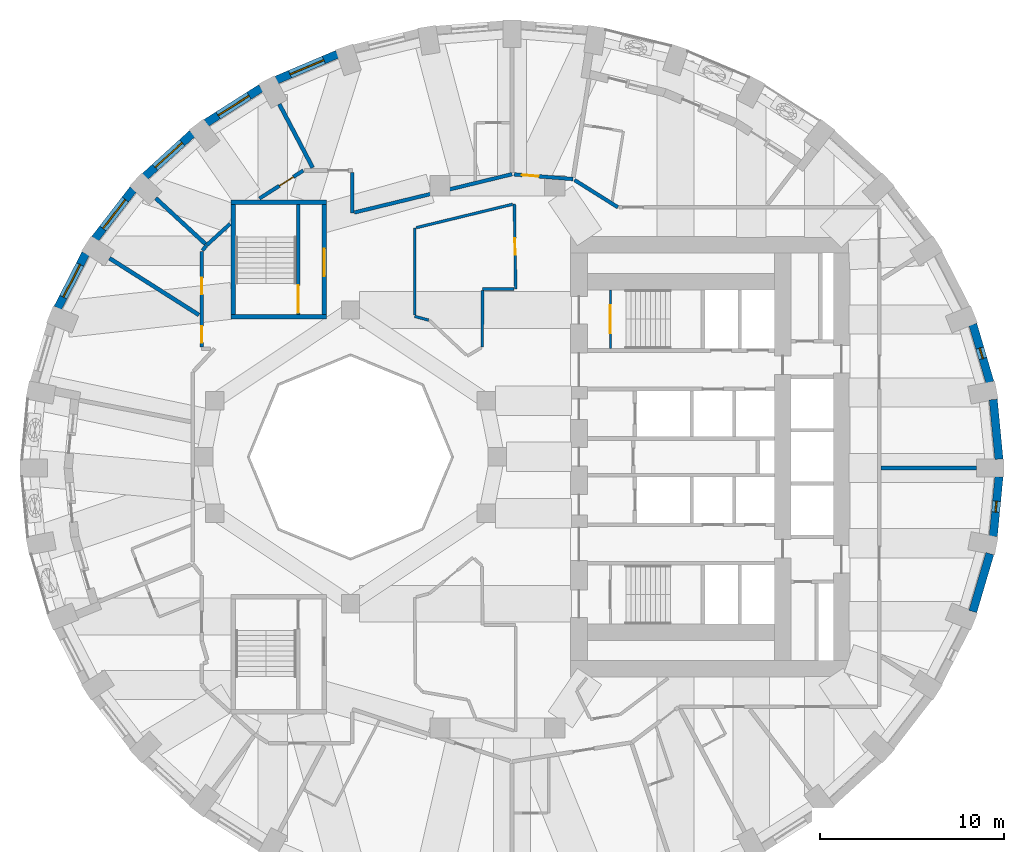
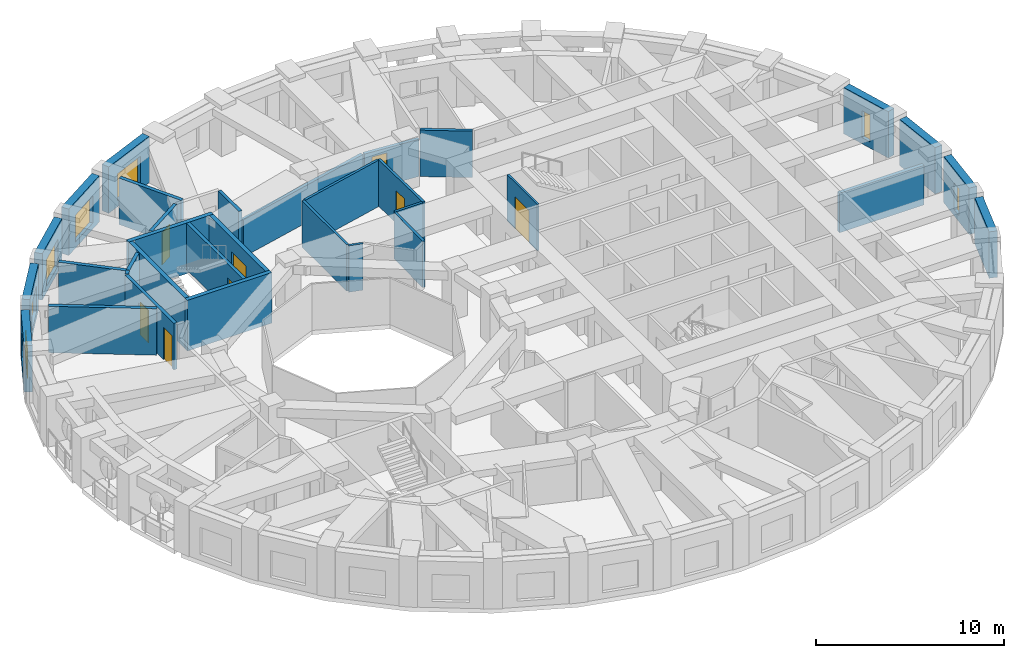
# One storey, part 7 of 12: 33 walls, 8 doors, 7 windows, 15 openings.
"""IFC4 building model written with IfcOpenShell, lengths in metres."""

from ifc_helpers import new_model, si_unit, direction, frame, frame_2d, origin, place, context, subcontext, project, spatial, rectangle, extrude, material, layer, layer_set, type_object, element, fill, save


model = new_model("IFC4")

# Units and contexts
model_context = context("Model", 3, precision=1e-05, world=origin(), true_north=direction((0.0, 1.0)))
body_context = subcontext(model_context, "Body", "Model", "MODEL_VIEW")
ifc_project = project(units=[si_unit("LENGTHUNIT", "METRE"), si_unit("AREAUNIT", "SQUARE_METRE"), si_unit("VOLUMEUNIT", "CUBIC_METRE"), si_unit("PLANEANGLEUNIT", "RADIAN"), si_unit("MASSUNIT", "GRAM", prefix="KILO")], contexts=[model_context])

# Site, building, storey
site_placement = place(None, origin())
site = spatial("IfcSite", under=ifc_project, at=site_placement, CompositionType="ELEMENT")
building_placement = place(site_placement, origin())
building = spatial("IfcBuilding", under=site, at=building_placement, Name="Taillehof Tower", CompositionType="ELEMENT")
storey_placement = place(building_placement, frame((0.0, 0.0, 102.10009765625)))
storey = spatial("IfcBuildingStorey", under=building, at=storey_placement, Name="L28", CompositionType="ELEMENT", Elevation=102.10009765625)

# Wall
ifc_material_1 = material(Name="Brick masonry", Category="masonry")
ifc_layer_1 = layer(ifc_material_1, 0.449951171875)
ifc_layer_set_1 = layer_set([ifc_layer_1], Name="Brick infill wall 450")
wall_type_1 = type_object("IfcWallType", Name="Brick infill wall 450", PredefinedType="SOLIDWALL", material=ifc_layer_set_1)
wall_1_placement = place(storey_placement, frame((27.32763671875, -0.119873046875, 0.0), z_axis=(0.0, 0.0, 1.0), x_axis=(-0.09589355735, 0.995391594127, 0.0)))
element("IfcWall", 1, at=wall_1_placement, inside=storey, type_object=wall_type_1, Name="Brick wall L28 bay 1", PredefinedType="SOLIDWALL", context=body_context, shape_type="SweptSolid", body=[
    extrude(rectangle(XDim=3.261474609375, YDim=0.449951171875, at=frame_2d((1.630859375, 0.0))), origin(), (0.0, 0.0, 1.0), 3.02001953125),
])

# Wall, opening, window
wall_2_placement = place(storey_placement, frame((26.83203125, 4.069091796875, 0.0), z_axis=(0.0, 0.0, 1.0), x_axis=(-0.283002902729, 0.959119052593, 0.0)))
wall_2 = element("IfcWall", 2, at=wall_2_placement, inside=storey, type_object=wall_type_1, Name="Brick wall L28 bay 2", PredefinedType="SOLIDWALL", context=body_context, shape_type="SweptSolid", body=[
    extrude(rectangle(XDim=3.285888671875, YDim=0.449951171875, at=frame_2d((1.64306640625, 0.0))), origin(), (0.0, 0.0, 1.0), 3.02001953125),
])
opening_1_placement = place(wall_2_placement, frame((1.343017578125, 0.0, 0.39990234375)))
opening_1 = element("IfcOpeningElement", 3, at=opening_1_placement, cuts=wall_2, Name="Opening W6", PredefinedType="OPENING", context=body_context, shape_type="SweptSolid", body=[
    extrude(rectangle(XDim=0.60009765625, YDim=1.75, at=frame_2d((0.300048828125, 0.875))), frame((0.0, 0.23486328125, 0.0), z_axis=(0.0, -1.0, 0.0), x_axis=(1.0, 0.0, 0.0)), (0.0, 0.0, 1.0), 0.469970703125),
])
ifc_material_2 = material(Name="Aluminium window frame with clear double glazing", Category="aluminium")
window_type_1 = type_object("IfcWindowType", Name="Slot window 600x1750", PartitioningType="SINGLE_PANEL", PredefinedType="WINDOW", material=ifc_material_2)
window_1_placement = place(opening_1_placement, origin())
window_1 = element("IfcWindow", 4, at=window_1_placement, inside=storey, type_object=window_type_1, Name="W6", OverallHeight=1.75, OverallWidth=0.60009765625, PartitioningType="SINGLE_PANEL", PredefinedType="WINDOW", context=body_context, shape_type="SweptSolid", body=[
    extrude(rectangle(XDim=0.60009765625, YDim=1.75, at=frame_2d((0.300048828125, 0.875))), frame((0.0, 0.034912109375, 0.0), z_axis=(0.0, -1.0, 0.0), x_axis=(1.0, 0.0, 0.0)), (0.0, 0.0, 1.0), 0.06005859375),
])
fill(opening_1, window_1)

wall_3_placement = place(storey_placement, frame((-8.718017578125, 21.93359375, 0.0), z_axis=(0.0, 0.0, 1.0), x_axis=(-0.920879975612, -0.389846213932, 0.0)))
wall_3 = element("IfcWall", 5, at=wall_3_placement, inside=storey, type_object=wall_type_1, Name="Brick wall L28 bay 12", PredefinedType="SOLIDWALL", context=body_context, shape_type="SweptSolid", body=[
    extrude(rectangle(XDim=3.591552734375, YDim=0.449951171875, at=frame_2d((1.7958984375, 0.0))), origin(), (0.0, 0.0, 1.0), 3.02001953125),
])
opening_2_placement = place(wall_3_placement, frame((0.795654296875, 0.0, 0.39990234375)))
opening_2 = element("IfcOpeningElement", 6, at=opening_2_placement, cuts=wall_3, Name="Opening W2", PredefinedType="OPENING", context=body_context, shape_type="SweptSolid", body=[
    extrude(rectangle(XDim=2.0, YDim=1.75, at=frame_2d((1.0, 0.875))), frame((0.0, 0.23486328125, 0.0), z_axis=(0.0, -1.0, 0.0), x_axis=(1.0, 0.0, 0.0)), (0.0, 0.0, 1.0), 0.469970703125),
])
ifc_material_3 = material(Name="Aluminium window frame with clear double glazing", Category="aluminium")
window_type_2 = type_object("IfcWindowType", Name="Deep-set window 2000x1750", PartitioningType="SINGLE_PANEL", PredefinedType="WINDOW", material=ifc_material_3)
window_2_placement = place(opening_2_placement, origin())
window_2 = element("IfcWindow", 7, at=window_2_placement, inside=storey, type_object=window_type_2, Name="W2", OverallHeight=1.75, OverallWidth=2.0, PartitioningType="SINGLE_PANEL", PredefinedType="WINDOW", context=body_context, shape_type="SweptSolid", body=[
    extrude(rectangle(XDim=2.0, YDim=1.75, at=frame_2d((1.0, 0.875))), frame((0.0, 0.034912109375, 0.0), z_axis=(0.0, -1.0, 0.0), x_axis=(1.0, 0.0, 0.0)), (0.0, 0.0, 1.0), 0.06005859375),
])
fill(opening_2, window_2)

wall_4_placement = place(storey_placement, frame((-12.87548828125, 20.087158203125, 0.0), z_axis=(0.0, 0.0, 1.0), x_axis=(-0.843860651879, -0.536562391722, 0.0)))
wall_4 = element("IfcWall", 8, at=wall_4_placement, inside=storey, type_object=wall_type_1, Name="Brick wall L28 bay 13", PredefinedType="SOLIDWALL", context=body_context, shape_type="SweptSolid", body=[
    extrude(rectangle(XDim=3.5322265625, YDim=0.449951171875, at=frame_2d((1.76611328125, 0.0))), origin(), (0.0, 0.0, 1.0), 3.02001953125),
])
opening_3_placement = place(wall_4_placement, frame((0.76611328125, 0.0, 0.39990234375)))
opening_3 = element("IfcOpeningElement", 9, at=opening_3_placement, cuts=wall_4, Name="Opening W2", PredefinedType="OPENING", context=body_context, shape_type="SweptSolid", body=[
    extrude(rectangle(XDim=2.0, YDim=1.75, at=frame_2d((1.0, 0.875))), frame((0.0, 0.23486328125, 0.0), z_axis=(0.0, -1.0, 0.0), x_axis=(1.0, 0.0, 0.0)), (0.0, 0.0, 1.0), 0.469970703125),
])
window_3_placement = place(opening_3_placement, origin())
window_3 = element("IfcWindow", 10, at=window_3_placement, inside=storey, type_object=window_type_2, Name="W2", OverallHeight=1.75, OverallWidth=2.0, PartitioningType="SINGLE_PANEL", PredefinedType="WINDOW", context=body_context, shape_type="SweptSolid", body=[
    extrude(rectangle(XDim=2.0, YDim=1.75, at=frame_2d((1.0, 0.875))), frame((0.0, 0.034912109375, 0.0), z_axis=(0.0, -1.0, 0.0), x_axis=(1.0, 0.0, 0.0)), (0.0, 0.0, 1.0), 0.06005859375),
])
fill(opening_3, window_3)

wall_5_placement = place(storey_placement, frame((-16.61962890625, 17.609619140625, 0.0), z_axis=(0.0, 0.0, 1.0), x_axis=(-0.74032902847, -0.672244694739, 0.0)))
wall_5 = element("IfcWall", 11, at=wall_5_placement, inside=storey, type_object=wall_type_1, Name="Brick wall L28 bay 14", PredefinedType="SOLIDWALL", context=body_context, shape_type="SweptSolid", body=[
    extrude(rectangle(XDim=3.4638671875, YDim=0.449951171875, at=frame_2d((1.73193359375, 0.0))), origin(), (0.0, 0.0, 1.0), 3.02001953125),
])
opening_4_placement = place(wall_5_placement, frame((0.73193359375, 0.0, 0.39990234375)))
opening_4 = element("IfcOpeningElement", 12, at=opening_4_placement, cuts=wall_5, Name="Opening W2", PredefinedType="OPENING", context=body_context, shape_type="SweptSolid", body=[
    extrude(rectangle(XDim=2.0, YDim=1.75, at=frame_2d((1.0, 0.875))), frame((0.0, 0.23486328125, 0.0), z_axis=(0.0, -1.0, 0.0), x_axis=(1.0, 0.0, 0.0)), (0.0, 0.0, 1.0), 0.469970703125),
])
window_4_placement = place(opening_4_placement, origin())
window_4 = element("IfcWindow", 13, at=window_4_placement, inside=storey, type_object=window_type_2, Name="W2", OverallHeight=1.75, OverallWidth=2.0, PartitioningType="SINGLE_PANEL", PredefinedType="WINDOW", context=body_context, shape_type="SweptSolid", body=[
    extrude(rectangle(XDim=2.0, YDim=1.75, at=frame_2d((1.0, 0.875))), frame((0.0, 0.034912109375, 0.0), z_axis=(0.0, -1.0, 0.0), x_axis=(1.0, 0.0, 0.0)), (0.0, 0.0, 1.0), 0.06005859375),
])
fill(opening_4, window_4)

wall_6_placement = place(storey_placement, frame((-19.835205078125, 14.575439453125, 0.0), z_axis=(0.0, 0.0, 1.0), x_axis=(-0.610693945156, -0.791866721961, 0.0)))
wall_6 = element("IfcWall", 14, at=wall_6_placement, inside=storey, type_object=wall_type_1, Name="Brick wall L28 bay 15", PredefinedType="SOLIDWALL", context=body_context, shape_type="SweptSolid", body=[
    extrude(rectangle(XDim=3.39453125, YDim=0.449951171875, at=frame_2d((1.697265625, 0.0))), origin(), (0.0, 0.0, 1.0), 3.02001953125),
])
opening_5_placement = place(wall_6_placement, frame((0.697265625, 0.0, 0.39990234375)))
opening_5 = element("IfcOpeningElement", 15, at=opening_5_placement, cuts=wall_6, Name="Opening W2", PredefinedType="OPENING", context=body_context, shape_type="SweptSolid", body=[
    extrude(rectangle(XDim=2.0, YDim=1.75, at=frame_2d((1.0, 0.875))), frame((0.0, 0.23486328125, 0.0), z_axis=(0.0, -1.0, 0.0), x_axis=(1.0, 0.0, 0.0)), (0.0, 0.0, 1.0), 0.469970703125),
])
window_5_placement = place(opening_5_placement, origin())
window_5 = element("IfcWindow", 16, at=window_5_placement, inside=storey, type_object=window_type_2, Name="W2", OverallHeight=1.75, OverallWidth=2.0, PartitioningType="SINGLE_PANEL", PredefinedType="WINDOW", context=body_context, shape_type="SweptSolid", body=[
    extrude(rectangle(XDim=2.0, YDim=1.75, at=frame_2d((1.0, 0.875))), frame((0.0, 0.034912109375, 0.0), z_axis=(0.0, -1.0, 0.0), x_axis=(1.0, 0.0, 0.0)), (0.0, 0.0, 1.0), 0.06005859375),
])
fill(opening_5, window_5)

wall_7_placement = place(storey_placement, frame((-22.4228515625, 11.076904296875, 0.0), z_axis=(0.0, 0.0, 1.0), x_axis=(-0.456828186229, -0.889554949549, 0.0)))
wall_7 = element("IfcWall", 17, at=wall_7_placement, inside=storey, type_object=wall_type_1, Name="Brick wall L28 bay 16", PredefinedType="SOLIDWALL", context=body_context, shape_type="SweptSolid", body=[
    extrude(rectangle(XDim=3.332763671875, YDim=0.449951171875, at=frame_2d((1.66650390625, 0.0))), origin(), (0.0, 0.0, 1.0), 3.02001953125),
])
opening_6_placement = place(wall_7_placement, frame((0.666259765625, 0.0, 0.39990234375)))
opening_6 = element("IfcOpeningElement", 18, at=opening_6_placement, cuts=wall_7, Name="Opening W2", PredefinedType="OPENING", context=body_context, shape_type="SweptSolid", body=[
    extrude(rectangle(XDim=2.0, YDim=1.75, at=frame_2d((1.0, 0.875))), frame((0.0, 0.23486328125, 0.0), z_axis=(0.0, -1.0, 0.0), x_axis=(1.0, 0.0, 0.0)), (0.0, 0.0, 1.0), 0.469970703125),
])
window_6_placement = place(opening_6_placement, origin())
window_6 = element("IfcWindow", 19, at=window_6_placement, inside=storey, type_object=window_type_2, Name="W2", OverallHeight=1.75, OverallWidth=2.0, PartitioningType="SINGLE_PANEL", PredefinedType="WINDOW", context=body_context, shape_type="SweptSolid", body=[
    extrude(rectangle(XDim=2.0, YDim=1.75, at=frame_2d((1.0, 0.875))), frame((0.0, 0.034912109375, 0.0), z_axis=(0.0, -1.0, 0.0), x_axis=(1.0, 0.0, 0.0)), (0.0, 0.0, 1.0), 0.06005859375),
])
fill(opening_6, window_6)

# Wall
wall_8_placement = place(storey_placement, frame((25.902099609375, -8.4208984375, 0.0), z_axis=(0.0, 0.0, 1.0), x_axis=(0.282982737009, 0.95912500257, 0.0)))
element("IfcWall", 20, at=wall_8_placement, inside=storey, type_object=wall_type_1, Name="Brick wall L28 bay 35", PredefinedType="SOLIDWALL", context=body_context, shape_type="SweptSolid", body=[
    extrude(rectangle(XDim=3.2861328125, YDim=0.449951171875, at=frame_2d((1.64306640625, 0.0))), origin(), (0.0, 0.0, 1.0), 3.02001953125),
])

# Wall, opening, window
wall_9_placement = place(storey_placement, frame((27.014892578125, -4.326416015625, 0.0), z_axis=(0.0, 0.0, 1.0), x_axis=(0.09589355735, 0.995391594127, 0.0)))
wall_9 = element("IfcWall", 21, at=wall_9_placement, inside=storey, type_object=wall_type_1, Name="Brick wall L28 bay 36", PredefinedType="SOLIDWALL", context=body_context, shape_type="SweptSolid", body=[
    extrude(rectangle(XDim=3.261474609375, YDim=0.449951171875, at=frame_2d((1.630859375, 0.0))), origin(), (0.0, 0.0, 1.0), 3.02001953125),
])
opening_7_placement = place(wall_9_placement, frame((1.33056640625, 0.0, 0.39990234375)))
opening_7 = element("IfcOpeningElement", 22, at=opening_7_placement, cuts=wall_9, Name="Opening W6", PredefinedType="OPENING", context=body_context, shape_type="SweptSolid", body=[
    extrude(rectangle(XDim=0.60009765625, YDim=1.75, at=frame_2d((0.300048828125, 0.875))), frame((0.0, 0.23486328125, 0.0), z_axis=(0.0, -1.0, 0.0), x_axis=(1.0, 0.0, 0.0)), (0.0, 0.0, 1.0), 0.469970703125),
])
window_7_placement = place(opening_7_placement, origin())
window_7 = element("IfcWindow", 23, at=window_7_placement, inside=storey, type_object=window_type_1, Name="W6", OverallHeight=1.75, OverallWidth=0.60009765625, PartitioningType="SINGLE_PANEL", PredefinedType="WINDOW", context=body_context, shape_type="SweptSolid", body=[
    extrude(rectangle(XDim=0.60009765625, YDim=1.75, at=frame_2d((0.300048828125, 0.875))), frame((0.0, 0.034912109375, 0.0), z_axis=(0.0, -1.0, 0.0), x_axis=(1.0, 0.0, 0.0)), (0.0, 0.0, 1.0), 0.06005859375),
])
fill(opening_7, window_7)

# Wall, openings, doors
ifc_material_4 = material(Name="Gypsum board on steel studs, two layers each side", Category="steel")
ifc_layer_2 = layer(ifc_material_4, 0.199951171875)
ifc_layer_set_2 = layer_set([ifc_layer_2], Name="Compartment wall corridor 200")
wall_type_2 = type_object("IfcWallType", Name="Compartment wall corridor 200", PredefinedType="PARTITIONING", material=ifc_layer_set_2)
wall_10_placement = place(storey_placement, frame((-16.10009765625, 6.0, 0.0), z_axis=(0.0, 0.0, 1.0), x_axis=(0.0, 1.0, 0.0)))
wall_10 = element("IfcWall", 24, at=wall_10_placement, inside=storey, type_object=wall_type_2, Name="Compartment wall", PredefinedType="PARTITIONING", context=body_context, shape_type="SweptSolid", body=[
    extrude(rectangle(XDim=5.192138671875, YDim=0.199951171875, at=frame_2d((2.59619140625, 0.0))), origin(), (0.0, 0.0, 1.0), 3.02001953125),
])
opening_8_placement = place(wall_10_placement, frame((2.856689453125, 0.0, 0.0)))
opening_8 = element("IfcOpeningElement", 25, at=opening_8_placement, cuts=wall_10, Name="Opening D2846", PredefinedType="OPENING", context=body_context, shape_type="SweptSolid", body=[
    extrude(rectangle(XDim=0.89990234375, YDim=2.10009765625, at=frame_2d((0.449951171875, 1.050048828125))), frame((0.0, 0.10986328125, 0.0), z_axis=(0.0, -1.0, 0.0), x_axis=(1.0, 0.0, 0.0)), (0.0, 0.0, 1.0), 0.219970703125),
])
opening_9_placement = place(wall_10_placement, frame((0.219970703125, 0.0, 0.0)))
opening_9 = element("IfcOpeningElement", 26, at=opening_9_placement, cuts=wall_10, Name="Opening D2847", PredefinedType="OPENING", context=body_context, shape_type="SweptSolid", body=[
    extrude(rectangle(XDim=0.89990234375, YDim=2.10009765625, at=frame_2d((0.449951171875, 1.050048828125))), frame((0.0, 0.10986328125, 0.0), z_axis=(0.0, -1.0, 0.0), x_axis=(1.0, 0.0, 0.0)), (0.0, 0.0, 1.0), 0.219970703125),
])
ifc_material_5 = material(Name="Timber door leaf in steel frame", Category="steel")
door_type_1 = type_object("IfcDoorType", Name="Service room door EI 30 900 x 2100", OperationType="SINGLE_SWING_LEFT", PredefinedType="DOOR", material=ifc_material_5)
door_1_placement = place(opening_8_placement, origin())
door_1 = element("IfcDoor", 27, at=door_1_placement, inside=storey, type_object=door_type_1, Name="D2846", OperationType="SINGLE_SWING_LEFT", OverallHeight=2.10009765625, OverallWidth=0.89990234375, PredefinedType="DOOR", context=body_context, shape_type="SweptSolid", body=[
    extrude(rectangle(XDim=0.89990234375, YDim=2.10009765625, at=frame_2d((0.449951171875, 1.050048828125))), frame((0.0, 0.02490234375, 0.0), z_axis=(0.0, -1.0, 0.0), x_axis=(1.0, 0.0, 0.0)), (0.0, 0.0, 1.0), 0.050048828125),
])
fill(opening_8, door_1)
door_2_placement = place(opening_9_placement, origin())
door_2 = element("IfcDoor", 28, at=door_2_placement, inside=storey, type_object=door_type_1, Name="D2847", OperationType="SINGLE_SWING_RIGHT", OverallHeight=2.10009765625, OverallWidth=0.89990234375, PredefinedType="DOOR", context=body_context, shape_type="SweptSolid", body=[
    extrude(rectangle(XDim=0.89990234375, YDim=2.10009765625, at=frame_2d((0.449951171875, 1.050048828125))), frame((0.0, 0.02490234375, 0.0), z_axis=(0.0, -1.0, 0.0), x_axis=(1.0, 0.0, 0.0)), (0.0, 0.0, 1.0), 0.050048828125),
])
fill(opening_9, door_2)

# Walls
wall_11_placement = place(storey_placement, frame((-16.0634765625, 11.23974609375, 0.0), z_axis=(0.0, 0.0, 1.0), x_axis=(0.609744747854, 0.792597844096, 0.0)))
element("IfcWall", 29, at=wall_11_placement, inside=storey, type_object=wall_type_2, Name="Compartment wall", PredefinedType="PARTITIONING", context=body_context, shape_type="SweptSolid", body=[
    extrude(rectangle(XDim=0.34716796875, YDim=0.199951171875, at=frame_2d((0.173583984375, 0.0))), origin(), (0.0, 0.0, 1.0), 3.02001953125),
])
wall_12_placement = place(storey_placement, frame((-15.8369140625, 11.5283203125, 0.0), z_axis=(0.0, 0.0, 1.0), x_axis=(0.739402681643, 0.673263450946, 0.0)))
element("IfcWall", 30, at=wall_12_placement, inside=storey, type_object=wall_type_2, Name="Compartment wall", PredefinedType="PARTITIONING", context=body_context, shape_type="SweptSolid", body=[
    extrude(rectangle(XDim=1.7275390625, YDim=0.199951171875, at=frame_2d((0.86376953125, 0.0))), origin(), (0.0, 0.0, 1.0), 3.02001953125),
])

# Wall, opening, door
wall_13_placement = place(storey_placement, frame((-12.957275390625, 14.0771484375, 0.0), z_axis=(0.0, 0.0, 1.0), x_axis=(0.84319985174, 0.537600232538, 0.0)))
wall_13 = element("IfcWall", 31, at=wall_13_placement, inside=storey, type_object=wall_type_2, Name="Compartment wall", PredefinedType="PARTITIONING", context=body_context, shape_type="SweptSolid", body=[
    extrude(rectangle(XDim=2.832763671875, YDim=0.199951171875, at=frame_2d((1.41650390625, 0.0))), origin(), (0.0, 0.0, 1.0), 3.02001953125),
])
opening_10_placement = place(wall_13_placement, frame((1.286376953125, 0.0, 0.0)))
opening_10 = element("IfcOpeningElement", 32, at=opening_10_placement, cuts=wall_13, Name="Opening D2845", PredefinedType="OPENING", context=body_context, shape_type="SweptSolid", body=[
    extrude(rectangle(XDim=0.89990234375, YDim=2.10009765625, at=frame_2d((0.449951171875, 1.050048828125))), frame((0.0, 0.10986328125, 0.0), z_axis=(0.0, -1.0, 0.0), x_axis=(1.0, 0.0, 0.0)), (0.0, 0.0, 1.0), 0.219970703125),
])
door_3_placement = place(opening_10_placement, origin())
door_3 = element("IfcDoor", 33, at=door_3_placement, inside=storey, type_object=door_type_1, Name="D2845", OperationType="SINGLE_SWING_RIGHT", OverallHeight=2.10009765625, OverallWidth=0.89990234375, PredefinedType="DOOR", context=body_context, shape_type="SweptSolid", body=[
    extrude(rectangle(XDim=0.89990234375, YDim=2.10009765625, at=frame_2d((0.449951171875, 1.050048828125))), frame((0.0, 0.02490234375, 0.0), z_axis=(0.0, -1.0, 0.0), x_axis=(1.0, 0.0, 0.0)), (0.0, 0.0, 1.0), 0.050048828125),
])
fill(opening_10, door_3)

# Walls
wall_14_placement = place(storey_placement, frame((-7.89990234375, 15.5, 0.0), z_axis=(0.0, 0.0, 1.0), x_axis=(0.0, -1.0, 0.0)))
element("IfcWall", 34, at=wall_14_placement, inside=storey, type_object=wall_type_2, Name="Compartment wall", PredefinedType="PARTITIONING", context=body_context, shape_type="SweptSolid", body=[
    extrude(rectangle(XDim=2.212158203125, YDim=0.199951171875, at=frame_2d((1.10595703125, 0.0))), origin(), (0.0, 0.0, 1.0), 3.02001953125),
])
wall_15_placement = place(storey_placement, frame((-7.78271484375, 13.315673828125, 0.0), z_axis=(0.0, 0.0, 1.0), x_axis=(0.971757778997, 0.23598054784, 0.0)))
element("IfcWall", 35, at=wall_15_placement, inside=storey, type_object=wall_type_2, Name="Compartment wall", PredefinedType="PARTITIONING", context=body_context, shape_type="SweptSolid", body=[
    extrude(rectangle(XDim=8.832275390625, YDim=0.199951171875, at=frame_2d((4.416015625, 0.0))), origin(), (0.0, 0.0, 1.0), 2.419921875),
])

# Wall, opening, door
wall_16_placement = place(storey_placement, frame((0.920166015625, 15.39013671875, 0.0), z_axis=(0.0, 0.0, 1.0), x_axis=(0.996853106713, -0.07927095077, 0.0)))
wall_16 = element("IfcWall", 36, at=wall_16_placement, inside=storey, type_object=wall_type_2, Name="Compartment wall", PredefinedType="PARTITIONING", context=body_context, shape_type="SweptSolid", body=[
    extrude(rectangle(XDim=3.212158203125, YDim=0.199951171875, at=frame_2d((1.60595703125, 0.0))), origin(), (0.0, 0.0, 1.0), 2.419921875),
])
opening_11_placement = place(wall_16_placement, frame((0.426513671875, 0.0, 0.0)))
opening_11 = element("IfcOpeningElement", 37, at=opening_11_placement, cuts=wall_16, Name="Opening D2842", PredefinedType="OPENING", context=body_context, shape_type="SweptSolid", body=[
    extrude(rectangle(XDim=0.89990234375, YDim=2.10009765625, at=frame_2d((0.449951171875, 1.050048828125))), frame((0.0, 0.10986328125, 0.0), z_axis=(0.0, -1.0, 0.0), x_axis=(1.0, 0.0, 0.0)), (0.0, 0.0, 1.0), 0.219970703125),
])
door_4_placement = place(opening_11_placement, origin())
door_4 = element("IfcDoor", 38, at=door_4_placement, inside=storey, type_object=door_type_1, Name="D2842", OperationType="SINGLE_SWING_LEFT", OverallHeight=2.10009765625, OverallWidth=0.89990234375, PredefinedType="DOOR", context=body_context, shape_type="SweptSolid", body=[
    extrude(rectangle(XDim=0.89990234375, YDim=2.10009765625, at=frame_2d((0.449951171875, 1.050048828125))), frame((0.0, 0.02490234375, 0.0), z_axis=(0.0, -1.0, 0.0), x_axis=(1.0, 0.0, 0.0)), (0.0, 0.0, 1.0), 0.050048828125),
])
fill(opening_11, door_4)

# Walls
wall_17_placement = place(storey_placement, frame((4.20654296875, 15.081787109375, 0.0), z_axis=(0.0, 0.0, 1.0), x_axis=(0.847002804919, -0.531588420171, 0.0)))
element("IfcWall", 39, at=wall_17_placement, inside=storey, type_object=wall_type_2, Name="Compartment wall", PredefinedType="PARTITIONING", context=body_context, shape_type="SweptSolid", body=[
    extrude(rectangle(XDim=2.787353515625, YDim=0.199951171875, at=frame_2d((1.3935546875, 0.0))), origin(), (0.0, 0.0, 1.0), 3.02001953125),
])
ifc_material_6 = material(Name="Gypsum board on double steel studs with mineral wool", Category="steel")
ifc_layer_3 = layer(ifc_material_6, 0.219970703125)
ifc_layer_set_3 = layer_set([ifc_layer_3], Name="Compartment wall guest room 220")
wall_type_3 = type_object("IfcWallType", Name="Compartment wall guest room 220", PredefinedType="PARTITIONING", material=ifc_layer_set_3)
wall_18_placement = place(storey_placement, frame((26.10009765625, -0.60009765625, 0.0), z_axis=(0.0, 0.0, 1.0), x_axis=(-1.0, 0.0, 0.0)))
element("IfcWall", 40, at=wall_18_placement, inside=storey, type_object=wall_type_3, Name="Compartment wall", PredefinedType="PARTITIONING", context=body_context, shape_type="SweptSolid", body=[
    extrude(rectangle(XDim=5.199951171875, YDim=0.219970703125, at=frame_2d((2.60009765625, 0.0))), origin(), (0.0, 0.0, 1.0), 2.56982421875),
])
wall_19_placement = place(storey_placement, frame((-11.8759765625, 19.217529296875, 0.0), z_axis=(0.0, 0.0, 1.0), x_axis=(0.465386433174, -0.885107602395, 0.0)))
element("IfcWall", 41, at=wall_19_placement, inside=storey, type_object=wall_type_3, Name="Compartment wall", PredefinedType="PARTITIONING", context=body_context, shape_type="SweptSolid", body=[
    extrude(rectangle(XDim=3.91357421875, YDim=0.219970703125, at=frame_2d((1.956787109375, 0.0))), origin(), (0.0, 0.0, 1.0), 3.02001953125),
])
wall_20_placement = place(storey_placement, frame((-18.60400390625, 14.09375, 0.0), z_axis=(0.0, 0.0, 1.0), x_axis=(0.73529495628, -0.677747244383, 0.0)))
element("IfcWall", 42, at=wall_20_placement, inside=storey, type_object=wall_type_3, Name="Compartment wall", PredefinedType="PARTITIONING", context=body_context, shape_type="SweptSolid", body=[
    extrude(rectangle(XDim=3.673828125, YDim=0.219970703125, at=frame_2d((1.8369140625, 0.0))), origin(), (0.0, 0.0, 1.0), 3.02001953125),
])
wall_21_placement = place(storey_placement, frame((-21.12646484375, 10.8232421875, 0.0), z_axis=(0.0, 0.0, 1.0), x_axis=(0.844518840625, -0.535525842355, 0.0)))
element("IfcWall", 43, at=wall_21_placement, inside=storey, type_object=wall_type_3, Name="Compartment wall", PredefinedType="PARTITIONING", context=body_context, shape_type="SweptSolid", body=[
    extrude(rectangle(XDim=5.7734375, YDim=0.219970703125, at=frame_2d((2.88671875, 0.0))), origin(), (0.0, 0.0, 1.0), 3.02001953125),
])

# Wall, opening, door
ifc_material_7 = material(Name="Gypsum board on steel studs, two layers each side", Category="steel")
ifc_layer_4 = layer(ifc_material_7, 0.14990234375)
ifc_layer_set_4 = layer_set([ifc_layer_4], Name="Compartment wall service room 150")
wall_type_4 = type_object("IfcWallType", Name="Compartment wall service room 150", PredefinedType="PARTITIONING", material=ifc_layer_set_4)
wall_22_placement = place(storey_placement, frame((0.928466796875, 13.78466796875, 0.0), z_axis=(0.0, 0.0, 1.0), x_axis=(0.015432211783, -0.999880916329, 0.0)))
wall_22 = element("IfcWall", 44, at=wall_22_placement, inside=storey, type_object=wall_type_4, Name="Compartment wall", PredefinedType="PARTITIONING", context=body_context, shape_type="SweptSolid", body=[
    extrude(rectangle(XDim=4.63525390625, YDim=0.14990234375, at=frame_2d((2.317626953125, 0.0))), origin(), (0.0, 0.0, 1.0), 3.02001953125),
])
opening_12_placement = place(wall_22_placement, frame((1.86767578125, 0.0, 0.0)))
opening_12 = element("IfcOpeningElement", 45, at=opening_12_placement, cuts=wall_22, Name="Opening D2865", PredefinedType="OPENING", context=body_context, shape_type="SweptSolid", body=[
    extrude(rectangle(XDim=0.89990234375, YDim=2.10009765625, at=frame_2d((0.449951171875, 1.050048828125))), frame((0.0, 0.0849609375, 0.0), z_axis=(0.0, -1.0, 0.0), x_axis=(1.0, 0.0, 0.0)), (0.0, 0.0, 1.0), 0.169921875),
])
door_5_placement = place(opening_12_placement, origin())
door_5 = element("IfcDoor", 46, at=door_5_placement, inside=storey, type_object=door_type_1, Name="D2865", OperationType="SINGLE_SWING_LEFT", OverallHeight=2.10009765625, OverallWidth=0.89990234375, PredefinedType="DOOR", context=body_context, shape_type="SweptSolid", body=[
    extrude(rectangle(XDim=0.89990234375, YDim=2.10009765625, at=frame_2d((0.449951171875, 1.050048828125))), frame((0.0, 0.02490234375, 0.0), z_axis=(0.0, -1.0, 0.0), x_axis=(1.0, 0.0, 0.0)), (0.0, 0.0, 1.0), 0.050048828125),
])
fill(opening_12, door_5)

# Walls
wall_23_placement = place(storey_placement, frame((0.919921875, 9.14990234375, 0.0), z_axis=(0.0, 0.0, 1.0), x_axis=(-1.0, 0.0, 0.0)))
element("IfcWall", 47, at=wall_23_placement, inside=storey, type_object=wall_type_4, Name="Compartment wall", PredefinedType="PARTITIONING", context=body_context, shape_type="SweptSolid", body=[
    extrude(rectangle(XDim=1.719970703125, YDim=0.14990234375, at=frame_2d((0.85986328125, 0.0))), origin(), (0.0, 0.0, 1.0), 3.02001953125),
])
wall_24_placement = place(storey_placement, frame((-0.801025390625, 9.06982421875, 0.0), z_axis=(0.0, 0.0, 1.0), x_axis=(-0.006879482938, -0.999976336077, 0.0)))
element("IfcWall", 48, at=wall_24_placement, inside=storey, type_object=wall_type_4, Name="Compartment wall", PredefinedType="PARTITIONING", context=body_context, shape_type="SweptSolid", body=[
    extrude(rectangle(XDim=3.08740234375, YDim=0.14990234375, at=frame_2d((1.543701171875, 0.0))), origin(), (0.0, 0.0, 1.0), 3.02001953125),
])
wall_25_placement = place(storey_placement, frame((-3.7421875, 7.451904296875, 0.0), z_axis=(0.0, 0.0, 1.0), x_axis=(-0.965903596155, 0.258901994846, 0.0)))
element("IfcWall", 49, at=wall_25_placement, inside=storey, type_object=wall_type_4, Name="Compartment wall", PredefinedType="PARTITIONING", context=body_context, shape_type="SweptSolid", body=[
    extrude(rectangle(XDim=0.78466796875, YDim=0.14990234375, at=frame_2d((0.392333984375, 0.0))), origin(), (0.0, 0.0, 1.0), 3.02001953125),
])
wall_26_placement = place(storey_placement, frame((-4.5, 7.735107421875, 0.0), z_axis=(0.0, 0.0, 1.0), x_axis=(0.0, 1.0, 0.0)))
element("IfcWall", 50, at=wall_26_placement, inside=storey, type_object=wall_type_4, Name="Compartment wall", PredefinedType="PARTITIONING", context=body_context, shape_type="SweptSolid", body=[
    extrude(rectangle(XDim=4.731689453125, YDim=0.14990234375, at=frame_2d((2.36572265625, 0.0))), origin(), (0.0, 0.0, 1.0), 3.02001953125),
])
wall_27_placement = place(storey_placement, frame((-4.421875, 12.4853515625, 0.0), z_axis=(0.0, 0.0, 1.0), x_axis=(0.971733724628, 0.236079580694, 0.0)))
element("IfcWall", 51, at=wall_27_placement, inside=storey, type_object=wall_type_4, Name="Compartment wall", PredefinedType="PARTITIONING", context=body_context, shape_type="SweptSolid", body=[
    extrude(rectangle(XDim=5.405517578125, YDim=0.14990234375, at=frame_2d((2.70263671875, 0.0))), origin(), (0.0, 0.0, 1.0), 3.02001953125),
])

# Wall, opening, door
ifc_material_8 = material(Name="Concrete C50/60", Category="concrete")
ifc_layer_5 = layer(ifc_material_8, 0.199951171875)
ifc_layer_set_5 = layer_set([ifc_layer_5], Name="Shaft wall C50/60 200")
wall_type_5 = type_object("IfcWallType", Name="Shaft wall C50/60 200", PredefinedType="SHEAR", material=ifc_layer_set_5)
wall_28_placement = place(storey_placement, frame((-10.85009765625, 7.75, 0.0), z_axis=(0.0, 0.0, 1.0), x_axis=(0.0, 1.0, 0.0)))
wall_28 = element("IfcWall", 52, at=wall_28_placement, inside=storey, type_object=wall_type_5, Name="Shaft wall SW", PredefinedType="SHEAR", context=body_context, shape_type="SweptSolid", body=[
    extrude(rectangle(XDim=6.0, YDim=0.199951171875, at=frame_2d((3.0, 0.0))), origin(), (0.0, 0.0, 1.0), 3.02001953125),
])
opening_13_placement = place(wall_28_placement, frame((0.10009765625, 0.0, 0.0)))
opening_13 = element("IfcOpeningElement", 53, at=opening_13_placement, cuts=wall_28, Name="Opening D2812", PredefinedType="OPENING", context=body_context, shape_type="SweptSolid", body=[
    extrude(rectangle(XDim=1.5, YDim=2.10009765625, at=frame_2d((0.75, 1.050048828125))), frame((0.0, 0.10986328125, 0.0), z_axis=(0.0, -1.0, 0.0), x_axis=(1.0, 0.0, 0.0)), (0.0, 0.0, 1.0), 0.219970703125),
])
ifc_material_9 = material(Name="Steel-faced fire door", Category="steel")
door_type_2 = type_object("IfcDoorType", Name="Stair door 1500x2100", OperationType="DOUBLE_DOOR_SINGLE_SWING", PredefinedType="DOOR", material=ifc_material_9)
door_6_placement = place(opening_13_placement, origin())
door_6 = element("IfcDoor", 54, at=door_6_placement, inside=storey, type_object=door_type_2, Name="Stair lobby door S3", OperationType="DOUBLE_DOOR_SINGLE_SWING", OverallHeight=2.10009765625, OverallWidth=1.5, PredefinedType="DOOR", context=body_context, shape_type="SweptSolid", body=[
    extrude(rectangle(XDim=1.5, YDim=2.10009765625, at=frame_2d((0.75, 1.050048828125))), frame((0.0, 0.02490234375, 0.0), z_axis=(0.0, -1.0, 0.0), x_axis=(1.0, 0.0, 0.0)), (0.0, 0.0, 1.0), 0.050048828125),
])
fill(opening_13, door_6)

ifc_material_10 = material(Name="Concrete C50/60", Category="concrete")
ifc_layer_6 = layer(ifc_material_10, 0.1201171875)
ifc_layer_set_6 = layer_set([ifc_layer_6], Name="Stair lobby wall C50/60 120")
wall_type_6 = type_object("IfcWallType", Name="Stair lobby wall C50/60 120", PredefinedType="SHEAR", material=ifc_layer_set_6)
wall_29_placement = place(storey_placement, frame((6.159912109375, 5.89990234375, 0.0), z_axis=(0.0, 0.0, 1.0), x_axis=(0.0, 1.0, 0.0)))
wall_29 = element("IfcWall", 55, at=wall_29_placement, inside=storey, type_object=wall_type_6, Name="Compartment wall SW", PredefinedType="SHEAR", context=body_context, shape_type="SweptSolid", body=[
    extrude(rectangle(XDim=3.2001953125, YDim=0.1201171875, at=frame_2d((1.60009765625, 0.0))), origin(), (0.0, 0.0, 1.0), 3.02001953125),
])
opening_14_placement = place(wall_29_placement, frame((0.85009765625, 0.0, 0.0)))
opening_14 = element("IfcOpeningElement", 56, at=opening_14_placement, cuts=wall_29, Name="Opening D2810", PredefinedType="OPENING", context=body_context, shape_type="SweptSolid", body=[
    extrude(rectangle(XDim=1.5, YDim=2.10009765625, at=frame_2d((0.75, 1.050048828125))), frame((0.0, 0.070068359375, 0.0), z_axis=(0.0, -1.0, 0.0), x_axis=(1.0, 0.0, 0.0)), (0.0, 0.0, 1.0), 0.14013671875),
])
door_7_placement = place(opening_14_placement, origin())
door_7 = element("IfcDoor", 57, at=door_7_placement, inside=storey, type_object=door_type_2, Name="Stair lobby door S1", OperationType="DOUBLE_DOOR_SINGLE_SWING", OverallHeight=2.10009765625, OverallWidth=1.5, PredefinedType="DOOR", context=body_context, shape_type="SweptSolid", body=[
    extrude(rectangle(XDim=1.5, YDim=2.10009765625, at=frame_2d((0.75, 1.050048828125))), frame((0.0, 0.02490234375, 0.0), z_axis=(0.0, -1.0, 0.0), x_axis=(1.0, 0.0, 0.0)), (0.0, 0.0, 1.0), 0.050048828125),
])
fill(opening_14, door_7)

# Wall
ifc_material_11 = material(Name="Concrete C50/60", Category="concrete")
ifc_layer_7 = layer(ifc_material_11, 0.25)
ifc_layer_set_7 = layer_set([ifc_layer_7], Name="Stair wall C50/60 250")
wall_type_7 = type_object("IfcWallType", Name="Stair wall C50/60 250", PredefinedType="SHEAR", material=ifc_layer_set_7)
wall_30_placement = place(storey_placement, frame((-14.375, 7.75, -0.280029296875), z_axis=(0.0, 0.0, 1.0), x_axis=(0.0, 1.0, 0.0)))
element("IfcWall", 58, at=wall_30_placement, inside=storey, type_object=wall_type_7, Name="Stair wall SC", PredefinedType="SHEAR", context=body_context, shape_type="SweptSolid", body=[
    extrude(rectangle(XDim=6.0, YDim=0.25, at=frame_2d((3.0, 0.0))), origin(), (0.0, 0.0, 1.0), 3.300048828125),
])

# Wall, opening, door
wall_31_placement = place(storey_placement, frame((-9.425048828125, 7.75, -0.280029296875), z_axis=(0.0, 0.0, 1.0), x_axis=(0.0, 1.0, 0.0)))
wall_31 = element("IfcWall", 59, at=wall_31_placement, inside=storey, type_object=wall_type_7, Name="Stair wall SC", PredefinedType="SHEAR", context=body_context, shape_type="SweptSolid", body=[
    extrude(rectangle(XDim=6.0, YDim=0.25, at=frame_2d((3.0, 0.0))), origin(), (0.0, 0.0, 1.0), 3.300048828125),
])
opening_15_placement = place(wall_31_placement, frame((2.10009765625, 0.0, 0.280029296875)))
opening_15 = element("IfcOpeningElement", 60, at=opening_15_placement, cuts=wall_31, Name="Opening D2819", PredefinedType="OPENING", context=body_context, shape_type="SweptSolid", body=[
    extrude(rectangle(XDim=1.5, YDim=2.10009765625, at=frame_2d((0.75, 1.050048828125))), frame((0.0, 0.135009765625, 0.0), z_axis=(0.0, -1.0, 0.0), x_axis=(1.0, 0.0, 0.0)), (0.0, 0.0, 1.0), 0.27001953125),
])
door_8_placement = place(opening_15_placement, origin())
door_8 = element("IfcDoor", 61, at=door_8_placement, inside=storey, type_object=door_type_2, Name="Stair door S3", OperationType="DOUBLE_DOOR_SINGLE_SWING", OverallHeight=2.10009765625, OverallWidth=1.5, PredefinedType="DOOR", context=body_context, shape_type="SweptSolid", body=[
    extrude(rectangle(XDim=1.5, YDim=2.10009765625, at=frame_2d((0.75, 1.050048828125))), frame((0.0, 0.02490234375, 0.0), z_axis=(0.0, -1.0, 0.0), x_axis=(1.0, 0.0, 0.0)), (0.0, 0.0, 1.0), 0.050048828125),
])
fill(opening_15, door_8)

# Walls
for number, where, z_axis, x_axis, name in (
    (62, (-14.5, 13.875, -0.280029296875), (0.0, 0.0, 1.0), (1.0, 0.0, 0.0), "Stair wall SC"),
    (63, (-14.5, 7.625, -0.280029296875), (0.0, 0.0, 1.0), (1.0, 0.0, 0.0), "Stair wall SC"),
):
    element("IfcWall", number, at=place(storey_placement, frame(where, z_axis=z_axis, x_axis=x_axis)), inside=storey, type_object=wall_type_7, Name=name, PredefinedType="SHEAR", context=body_context, shape_type="SweptSolid", body=[
        extrude(rectangle(XDim=5.199951171875, YDim=0.25, at=frame_2d((2.60009765625, 0.0))), origin(), (0.0, 0.0, 1.0), 3.300048828125),
    ])

save(model, "model.ifc")
